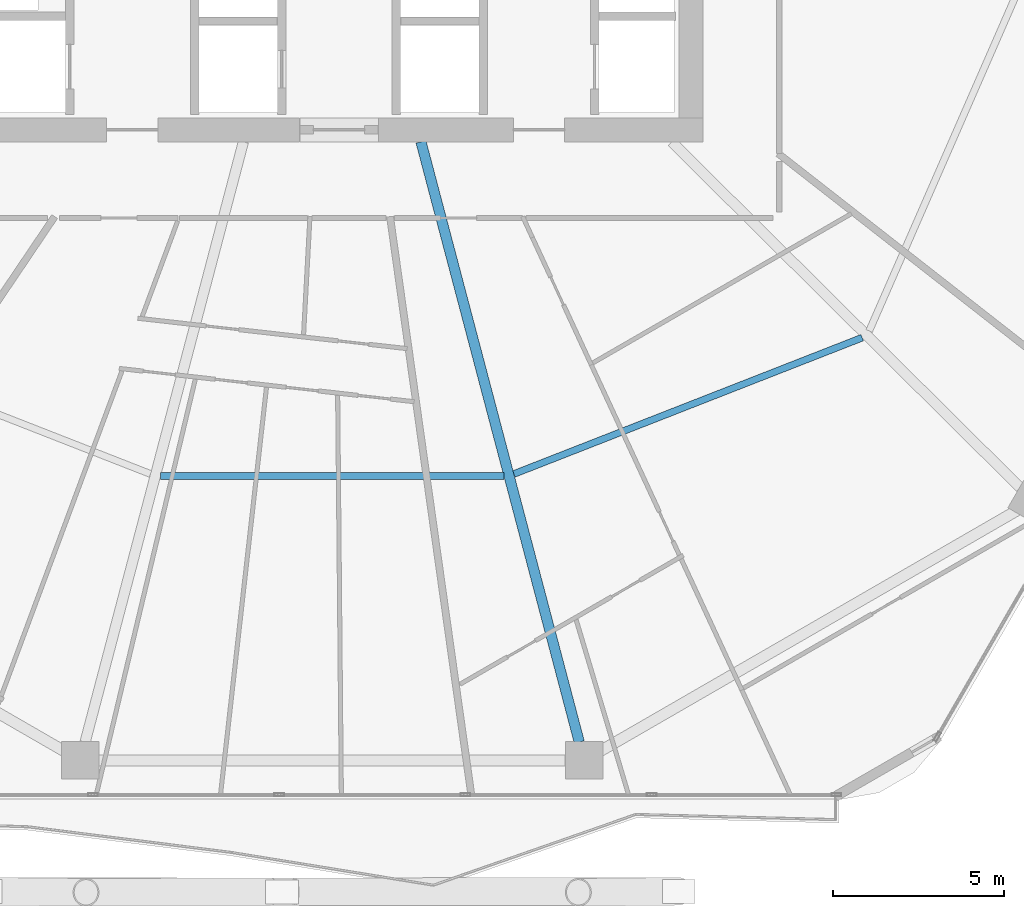
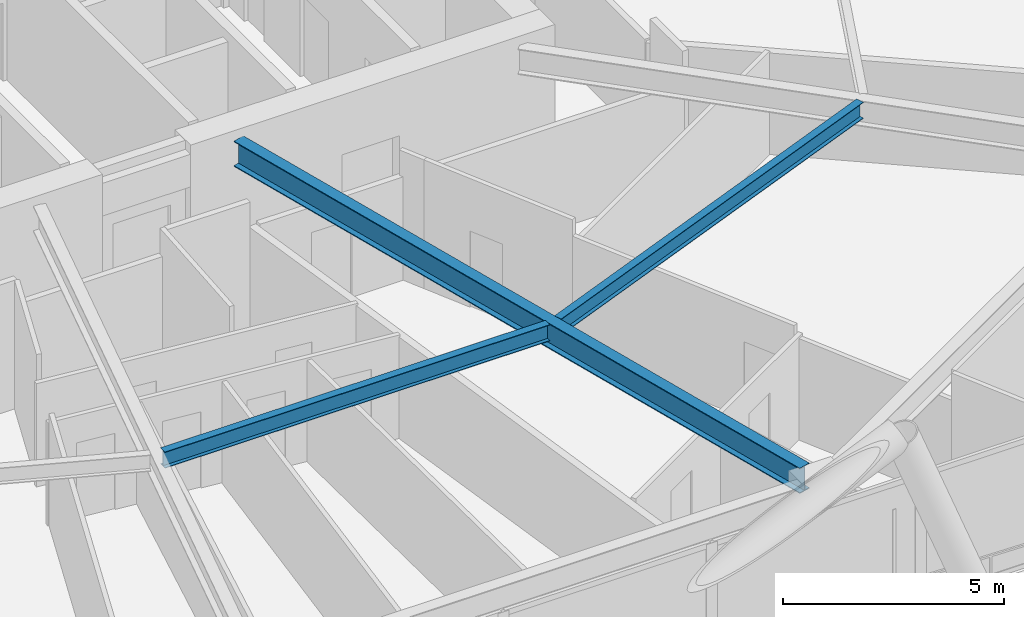
# One storey, part 9 of 35: 3 beams.
"""IFC4 building model written with IfcOpenShell, lengths in metres."""

from ifc_helpers import new_model, si_unit, direction, frame, origin, origin_2d, place, context, subcontext, project, spatial, i_section, extrude, material, material_profile, profile_set, type_object, element, save


model = new_model("IFC4")

# Units and contexts
model_context = context("Model", 3, precision=1e-05, world=origin(), true_north=direction((0.0, 1.0)))
body_context = subcontext(model_context, "Body", "Model", "MODEL_VIEW")
ifc_project = project(units=[si_unit("LENGTHUNIT", "METRE"), si_unit("AREAUNIT", "SQUARE_METRE"), si_unit("VOLUMEUNIT", "CUBIC_METRE"), si_unit("PLANEANGLEUNIT", "RADIAN"), si_unit("MASSUNIT", "GRAM", prefix="KILO")], contexts=[model_context])

# Site, building, storey
site_placement = place(None, origin())
site = spatial("IfcSite", under=ifc_project, at=site_placement, CompositionType="ELEMENT")
building_placement = place(site_placement, origin())
building = spatial("IfcBuilding", under=site, at=building_placement, Name="Zuhravey Tower", CompositionType="ELEMENT")
storey_placement = place(building_placement, frame((0.0, 0.0, 92.39990234375)))
storey = spatial("IfcBuildingStorey", under=building, at=storey_placement, Name="L22", CompositionType="ELEMENT", Elevation=92.39990234375)

# Beams
ifc_material = material(Name="Steel SM355", Category="steel")
ifc_material_profile_1 = material_profile(ifc_material, i_section(OverallWidth=0.300048828125, OverallDepth=0.699951171875, WebThickness=0.012939453125, FlangeThickness=0.02392578125, at=origin_2d()), Name="H-700x300x13x24")
ifc_profile_set_1 = profile_set([ifc_material_profile_1], Name="Steel SM355")
beam_type_1 = type_object("IfcBeamType", Name="Radial Primary Girder H700x300", PredefinedType="BEAM", material=ifc_profile_set_1)
beam_1_placement = place(storey_placement, frame((38.59814453125, 22.14697265625, 3.2001953125), z_axis=(0.25498755891, -0.966944333869, 0.0), x_axis=(0.966944333869, 0.25498755891, 0.0)))
element("IfcBeam", 1, at=beam_1_placement, inside=storey, type_object=beam_type_1, Name="L22 RG1 BM-L22-RAD-10", PredefinedType="BEAM", context=body_context, shape_type="SweptSolid", body=[
    extrude(i_section(OverallWidth=0.300048828125, OverallDepth=0.699951171875, WebThickness=0.012939453125, FlangeThickness=0.02392578125, at=origin_2d()), origin(), (0.0, 0.0, 1.0), 18.1611328125),
])
ifc_material_profile_2 = material_profile(ifc_material, i_section(OverallWidth=0.199951171875, OverallDepth=0.449951171875, WebThickness=0.009033203125, FlangeThickness=0.013916015625, at=origin_2d()), Name="H-450x200x9x14")
ifc_profile_set_2 = profile_set([ifc_material_profile_2], Name="Steel SM355")
beam_type_2 = type_object("IfcBeamType", Name="Secondary Floor Joist H450x200", PredefinedType="JOIST", material=ifc_profile_set_2)
beam_2_placement = place(storey_placement, frame((30.97900390625, 12.37548828125, 3.3251953125), z_axis=(1.0, 0.0, 0.0), x_axis=(0.0, 1.0, 0.0)))
element("IfcBeam", 2, at=beam_2_placement, inside=storey, type_object=beam_type_2, Name="L22 SJ1 BM-L22-SJ-09-1", PredefinedType="JOIST", context=body_context, shape_type="SweptSolid", body=[
    extrude(i_section(OverallWidth=0.199951171875, OverallDepth=0.449951171875, WebThickness=0.009033203125, FlangeThickness=0.013916015625, at=origin_2d()), origin(), (0.0, 0.0, 1.0), 10.0419921875),
])
beam_3_placement = place(storey_placement, frame((41.318359375, 12.431640625, 3.3251953125), z_axis=(0.931216764731, 0.364465824302, 0.0), x_axis=(-0.364465824302, 0.931216764731, 0.0)))
element("IfcBeam", 3, at=beam_3_placement, inside=storey, type_object=beam_type_2, Name="L22 SJ1 BM-L22-SJ-10-1", PredefinedType="JOIST", context=body_context, shape_type="SweptSolid", body=[
    extrude(i_section(OverallWidth=0.199951171875, OverallDepth=0.449951171875, WebThickness=0.009033203125, FlangeThickness=0.013916015625, at=origin_2d()), origin(), (0.0, 0.0, 1.0), 10.939453125),
])

save(model, "model.ifc")
